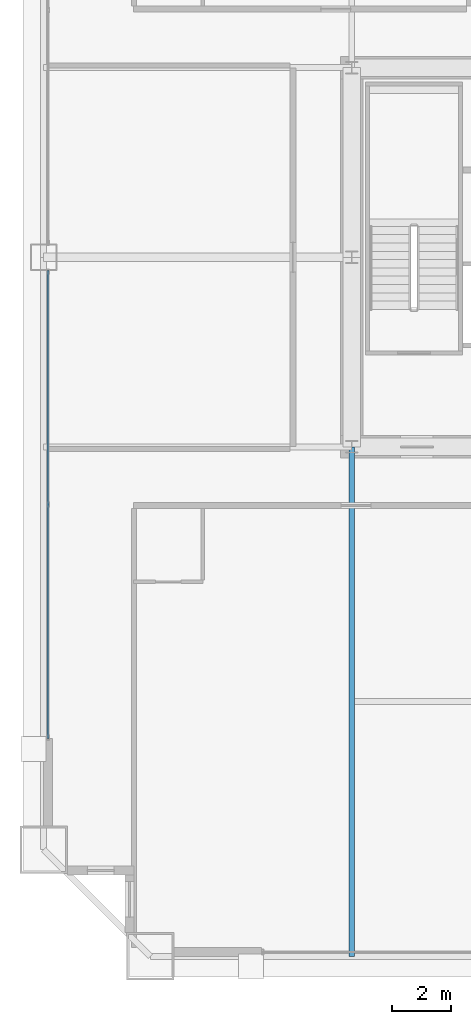
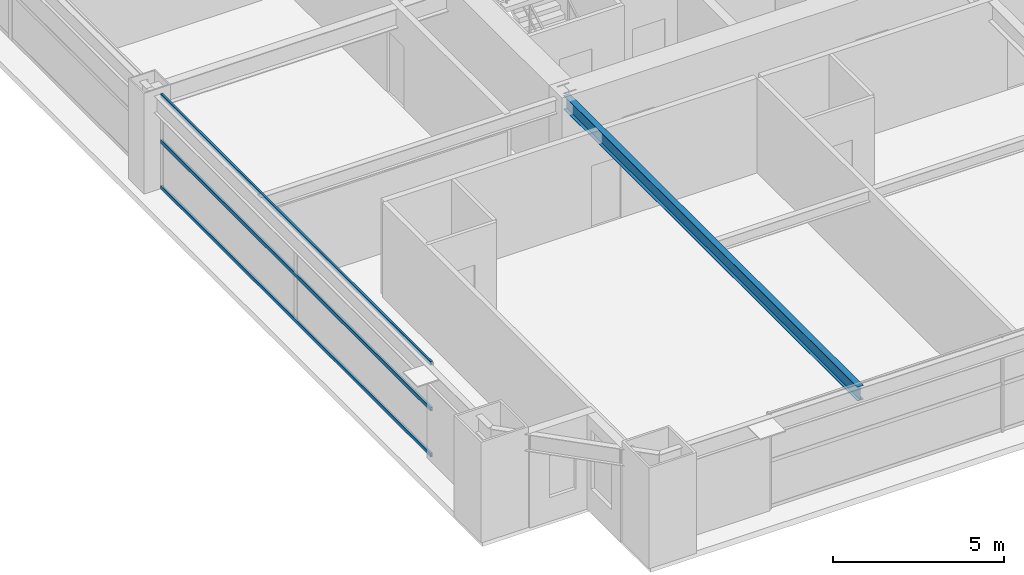
# One storey, part 8 of 37: 3 members, 1 beam, 1 element without a shape of its own.
"""IFC4 building model written with IfcOpenShell, lengths in metres."""

from ifc_helpers import new_model, si_unit, direction, frame, origin, origin_2d, place, context, subcontext, project, spatial, hollow_rectangle, i_section, extrude, source, transform, mapped, material, layer, layer_set, material_profile, profile_set, type_object, element, aggregate, save


model = new_model("IFC4")

# Units and contexts
model_context = context("Model", 3, precision=1e-05, world=origin(), true_north=direction((0.0, 1.0)))
body_context = subcontext(model_context, "Body", "Model", "MODEL_VIEW")
ifc_project = project(units=[si_unit("LENGTHUNIT", "METRE"), si_unit("AREAUNIT", "SQUARE_METRE"), si_unit("VOLUMEUNIT", "CUBIC_METRE"), si_unit("PLANEANGLEUNIT", "RADIAN"), si_unit("MASSUNIT", "GRAM", prefix="KILO"), si_unit("THERMODYNAMICTEMPERATUREUNIT", "KELVIN"), si_unit("POWERUNIT", "WATT")], contexts=[model_context])

# Site, building, storey
site_placement = place(None, origin())
site = spatial("IfcSite", under=ifc_project, at=site_placement, CompositionType="ELEMENT")
building_placement = place(site_placement, origin())
building = spatial("IfcBuilding", under=site, at=building_placement, Name="Yuzanri Waterfront Tower", CompositionType="ELEMENT")
storey_placement = place(building_placement, frame((0.0, 0.0, 104.60009765625)))
storey = spatial("IfcBuildingStorey", under=building, at=storey_placement, Name="L27", CompositionType="ELEMENT", Elevation=104.60009765625)

# Beam
ifc_material_1 = material(Name="Steel Q355B", Category="steel")
ifc_material_profile_1 = material_profile(ifc_material_1, i_section(OverallWidth=0.199951171875, OverallDepth=0.5, WebThickness=0.010009765625, FlangeThickness=0.01611328125, at=origin_2d()), Name="HN 500x200x10x16")
ifc_profile_set_1 = profile_set([ifc_material_profile_1], Name="Steel Q355B")
beam_type = type_object("IfcBeamType", Name="Secondary Floor Beam Q355B HN 500x200", PredefinedType="BEAM", material=ifc_profile_set_1)
shared_shape_1 = source(origin(), body_context, "Body", "SweptSolid", [
    extrude(i_section(OverallWidth=0.199951171875, OverallDepth=0.5, WebThickness=0.010009765625, FlangeThickness=0.01611328125, at=origin_2d()), origin(), (0.0, 0.0, 1.0), 17.199951171875),
])
beam_placement = place(storey_placement, frame((23.800048828125, 19.39990234375, 3.1298828125), z_axis=(0.0, -1.0, 0.0), x_axis=(1.0, 0.0, 0.0)))
element("IfcBeam", 1, at=beam_placement, inside=storey, type_object=beam_type, Name="L27 South-West Core Line Beam", PredefinedType="BEAM", context=body_context, shape_type="MappedRepresentation", body=[
    mapped(shared_shape_1, transform((0.0, 0.0, 0.0), scale=1.0)),
])

# Curtain wall, members
ifc_material_2 = material(Name="Anodized Architectural Bronze", Category="metal")
ifc_layer = layer(ifc_material_2, 0.159912109375)
ifc_layer_set = layer_set([ifc_layer], Name="Anodized Architectural Bronze")
curtain_wall_type = type_object("IfcCurtainWallType", Name="Anodized Bronze Hotel Upper-Tier Solar-Control Unitized Curtain Wall 7800", PredefinedType="NOTDEFINED", material=ifc_layer_set)
curtain_wall_placement = place(storey_placement, origin())
curtain_wall = element("IfcCurtainWall", 2, at=curtain_wall_placement, inside=storey, type_object=curtain_wall_type, Name="L27 Curtain Wall CW-L27-WL", PredefinedType="NOTDEFINED")
ifc_material_3 = material(Name="Anodized Architectural Bronze", Category="metal")
ifc_material_profile_2 = material_profile(ifc_material_3, hollow_rectangle(XDim=0.070068359375, YDim=0.135009765625, WallThickness=0.00341796875, at=origin_2d()), Name="CWT 70x135")
ifc_profile_set_2 = profile_set([ifc_material_profile_2], Name="Anodized Architectural Bronze")
member_type = type_object("IfcMemberType", Name="Anodized Bronze Standard Curtain-Wall Transom 70x135", PredefinedType="USERDEFINED", material=ifc_profile_set_2)
shared_shape_2 = source(origin(), body_context, "Body", "SweptSolid", [
    extrude(hollow_rectangle(XDim=0.070068359375, YDim=0.135009765625, WallThickness=0.00341796875, at=origin_2d()), origin(), (0.0, 0.0, 1.0), 15.800048828125),
])
member_1_placement = place(storey_placement, frame((13.550048828125, 9.550048828125, 0.0498046875), z_axis=(0.0, 1.0, 0.0), x_axis=(-1.0, 0.0, 0.0)))
member_1 = element("IfcMember", 3, at=member_1_placement, type_object=member_type, Name="CW-L27-WL Transom 1", ObjectType="TRANSOM", PredefinedType="USERDEFINED", context=body_context, shape_type="MappedRepresentation", body=[
    mapped(shared_shape_2, transform((0.0, 0.0, 0.0), scale=1.0)),
])
member_2_placement = place(storey_placement, frame((13.550048828125, 9.550048828125, 1.68994140625), z_axis=(0.0, 1.0, 0.0), x_axis=(-1.0, 0.0, 0.0)))
member_2 = element("IfcMember", 4, at=member_2_placement, type_object=member_type, Name="CW-L27-WL Transom 2", ObjectType="TRANSOM", PredefinedType="USERDEFINED", context=body_context, shape_type="MappedRepresentation", body=[
    mapped(shared_shape_2, transform((0.0, 0.0, 0.0), scale=1.0)),
])
member_3_placement = place(storey_placement, frame((13.550048828125, 9.550048828125, 3.329833984375), z_axis=(0.0, 1.0, 0.0), x_axis=(-1.0, 0.0, 0.0)))
member_3 = element("IfcMember", 5, at=member_3_placement, type_object=member_type, Name="CW-L27-WL Transom 3", ObjectType="TRANSOM", PredefinedType="USERDEFINED", context=body_context, shape_type="MappedRepresentation", body=[
    mapped(shared_shape_2, transform((0.0, 0.0, 0.0), scale=1.0)),
])
aggregate(curtain_wall, [member_1, member_2, member_3])

save(model, "model.ifc")
